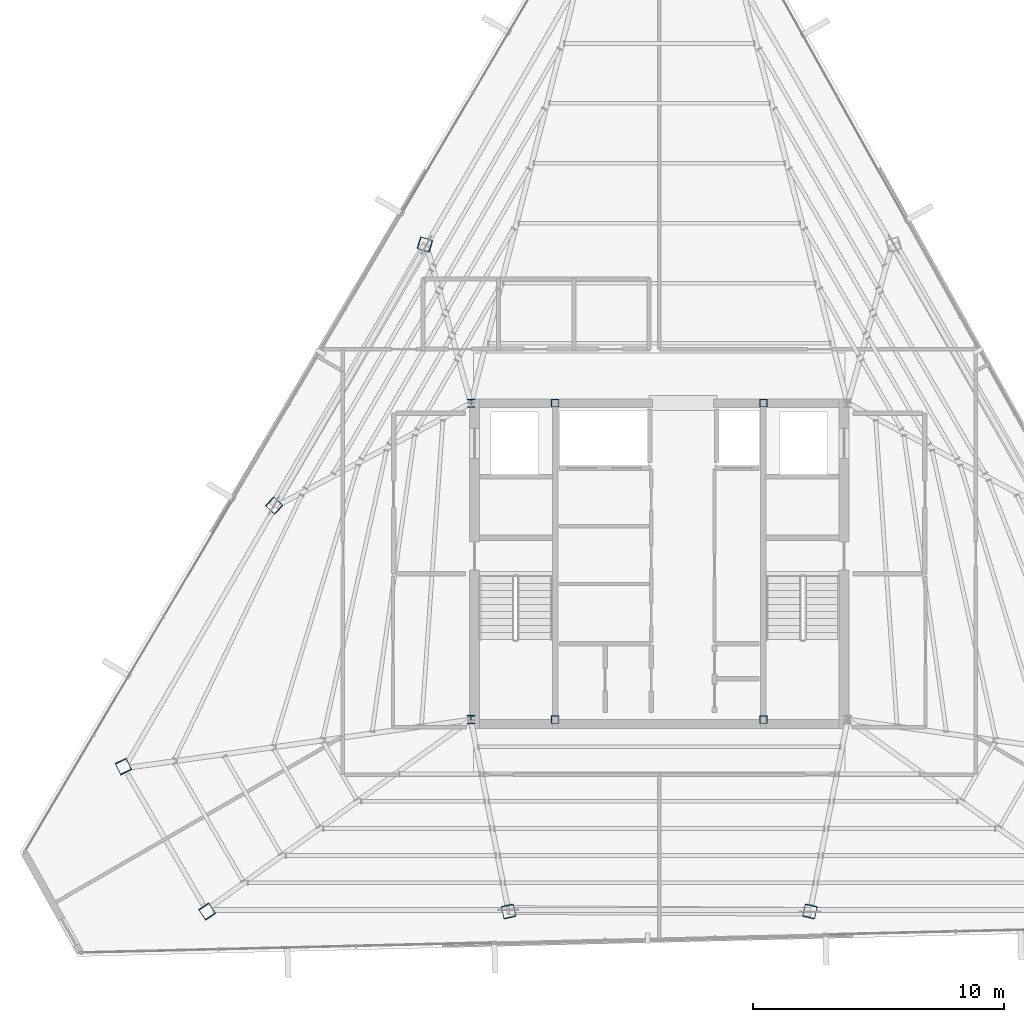
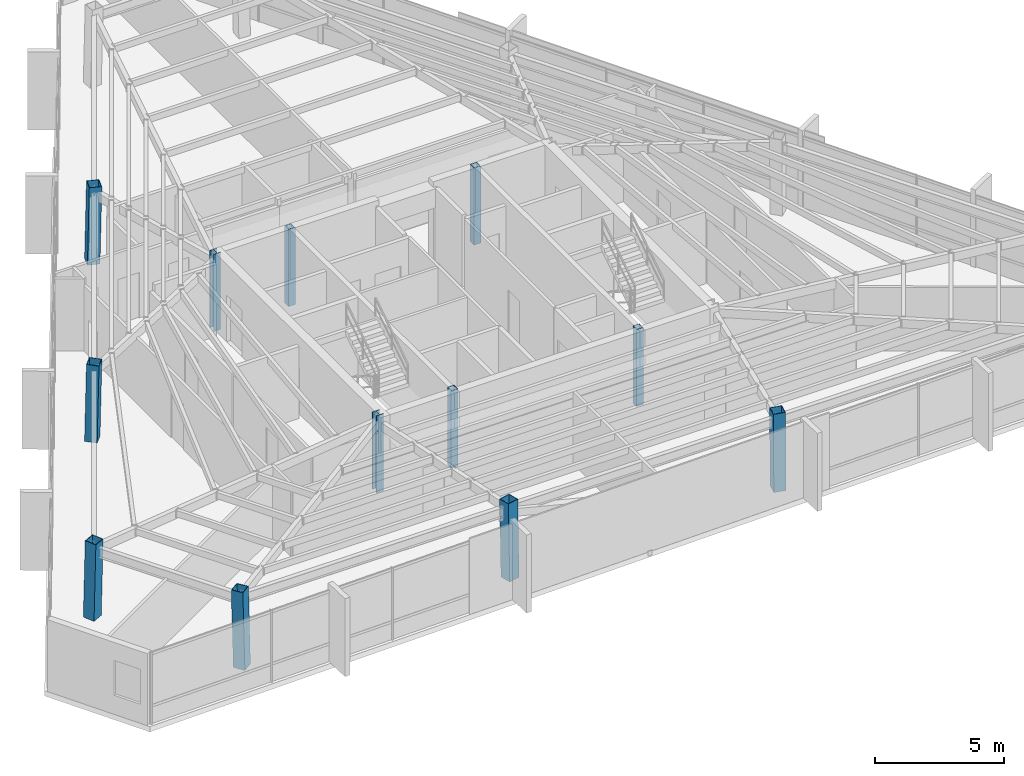
# One storey, part 1 of 48: 12 columns.
"""IFC4 building model written with IfcOpenShell, lengths in metres."""

from ifc_helpers import new_model, si_unit, direction, frame, origin, origin_2d, place, context, subcontext, project, spatial, hollow_rectangle, i_section, extrude, source, transform, mapped, material, material_profile, profile_set, type_object, type_shapes, element, save


model = new_model("IFC4")

# Units and contexts
model_context = context("Model", 3, precision=1e-05, world=origin(), true_north=direction((0.0, 1.0)))
body_context = subcontext(model_context, "Body", "Model", "MODEL_VIEW")
ifc_project = project(units=[si_unit("LENGTHUNIT", "METRE"), si_unit("AREAUNIT", "SQUARE_METRE"), si_unit("VOLUMEUNIT", "CUBIC_METRE"), si_unit("PLANEANGLEUNIT", "RADIAN"), si_unit("MASSUNIT", "GRAM", prefix="KILO")], contexts=[model_context])

# Site, building, storey
site_placement = place(None, origin())
site = spatial("IfcSite", under=ifc_project, at=site_placement, CompositionType="ELEMENT")
building_placement = place(site_placement, origin())
building = spatial("IfcBuilding", under=site, at=building_placement, Name="Caelisora Broadcast Tower", CompositionType="ELEMENT")
storey_placement = place(building_placement, frame((0.0, 0.0, 277.300048828125)))
storey = spatial("IfcBuildingStorey", under=building, at=storey_placement, Name="L73", CompositionType="ELEMENT", Elevation=277.300048828125)

# Columns
ifc_material_1 = material(Name="Steel Grade 350 (AS/NZS 3679.1)", Category="steel")
ifc_material_profile_1 = material_profile(ifc_material_1, i_section(OverallWidth=0.31103515625, OverallDepth=0.3271484375, WebThickness=0.015625, FlangeThickness=0.02490234375, at=origin_2d()), Name="Steel Grade 350 (AS/NZS 3679.1)")
ifc_profile_set_1 = profile_set([ifc_material_profile_1], Name="Steel Grade 350 (AS/NZS 3679.1)")
column_type_1 = type_object("IfcColumnType", Name="CC03", PredefinedType="COLUMN", material=ifc_profile_set_1)
shared_shape_1 = source(origin(), body_context, "Body", "SweptSolid", [
    extrude(i_section(OverallWidth=0.31103515625, OverallDepth=0.3271484375, WebThickness=0.015625, FlangeThickness=0.02490234375, at=origin_2d()), origin(), (0.0, 0.0, 1.0), 3.64990234375),
])
type_shapes(column_type_1, [shared_shape_1])
for number, where, z_axis, x_axis, name in (
    (1, (30.5, 17.39990234375, 0.0), (0.0, 0.0, 1.0), (1.0, 0.0, 0.0), "L73 column CC03"),
    (2, (30.5, 30.0, 0.0), (0.0, 0.0, 1.0), (1.0, 0.0, 0.0), "L73 column CC03"),
):
    element("IfcColumn", number, at=place(storey_placement, frame(where, z_axis=z_axis, x_axis=x_axis)), inside=storey, type_object=column_type_1, Name=name, PredefinedType="COLUMN", context=body_context, shape_type="MappedRepresentation", body=[
        mapped(shared_shape_1, transform((0.0, 0.0, 0.0), scale=1.0)),
    ])
ifc_material_2 = material(Name="Steel Grade 350 (AS/NZS 1163 C350L0)", Category="steel")
ifc_material_profile_2 = material_profile(ifc_material_2, hollow_rectangle(XDim=0.300048828125, YDim=0.300048828125, WallThickness=0.012451171875, at=origin_2d()), Name="Steel Grade 350 (AS/NZS 1163 C350L0)")
ifc_profile_set_2 = profile_set([ifc_material_profile_2], Name="Steel Grade 350 (AS/NZS 1163 C350L0)")
column_type_2 = type_object("IfcColumnType", Name="CC08", PredefinedType="COLUMN", material=ifc_profile_set_2)
shared_shape_2 = source(origin(), body_context, "Body", "SweptSolid", [
    extrude(hollow_rectangle(XDim=0.300048828125, YDim=0.300048828125, WallThickness=0.012451171875, at=origin_2d()), origin(), (0.0, 0.0, 1.0), 3.64990234375),
])
type_shapes(column_type_2, [shared_shape_2])
for number, where, z_axis, x_axis, name in (
    (3, (33.85009765625, 17.39990234375, 0.0), (0.0, 0.0, 1.0), (1.0, 0.0, 0.0), "L73 column CC08"),
    (4, (42.14990234375, 17.39990234375, 0.0), (0.0, 0.0, 1.0), (1.0, 0.0, 0.0), "L73 column CC08"),
    (5, (33.85009765625, 30.0, 0.0), (0.0, 0.0, 1.0), (1.0, 0.0, 0.0), "L73 column CC08"),
    (6, (42.14990234375, 30.0, 0.0), (0.0, 0.0, 1.0), (1.0, 0.0, 0.0), "L73 column CC08"),
):
    element("IfcColumn", number, at=place(storey_placement, frame(where, z_axis=z_axis, x_axis=x_axis)), inside=storey, type_object=column_type_2, Name=name, PredefinedType="COLUMN", context=body_context, shape_type="MappedRepresentation", body=[
        mapped(shared_shape_2, transform((0.0, 0.0, 0.0), scale=1.0)),
    ])
ifc_material_3 = material(Name="Steel Grade 350 L15 (AS/NZS 3678)", Category="steel")
ifc_material_profile_3 = material_profile(ifc_material_3, hollow_rectangle(XDim=0.5, YDim=0.5, WallThickness=0.02001953125, at=origin_2d()), Name="Steel Grade 350 L15 (AS/NZS 3678)")
ifc_profile_set_3 = profile_set([ifc_material_profile_3], Name="Steel Grade 350 L15 (AS/NZS 3678)")
column_type_3 = type_object("IfcColumnType", Name="MC07", PredefinedType="COLUMN", material=ifc_profile_set_3)
shared_shape_3 = source(origin(), body_context, "Body", "SweptSolid", [
    extrude(hollow_rectangle(XDim=0.5, YDim=0.5, WallThickness=0.02001953125, at=origin_2d()), origin(), (0.0, 0.0, 1.0), 3.65087890625),
])
for number, where, z_axis, x_axis, name in (
    (7, (16.657958984375, 15.54248046875, 0.0), (0.010431795422, -0.021532295679, 0.999713727968), (0.899947055326, 0.435999194506, 0.0), "L73 column MC07"),
    (8, (20.004638671875, 9.745849609375, 0.0), (-0.013440967269, 0.019793663242, 0.999713734673), (-0.827290216258, -0.561774775229, 0.0), "L73 column MC07"),
):
    element("IfcColumn", number, at=place(storey_placement, frame(where, z_axis=z_axis, x_axis=x_axis)), inside=storey, type_object=column_type_3, Name=name, PredefinedType="COLUMN", context=body_context, shape_type="MappedRepresentation", body=[
        mapped(shared_shape_3, transform((0.0, 0.0, 0.0), scale=1.0)),
    ])
shared_shape_4 = source(origin(), body_context, "Body", "SweptSolid", [
    extrude(hollow_rectangle(XDim=0.5, YDim=0.5, WallThickness=0.02001953125, at=origin_2d()), origin(), (0.0, 0.0, 1.0), 3.650634765625),
])
type_shapes(column_type_3, [shared_shape_3, shared_shape_4])
for number, where, z_axis, x_axis, name in (
    (9, (28.65478515625, 36.322021484375, 0.0), (0.019393985636, -0.006085698941, 0.999793397452), (0.299398805134, 0.954128060317, 0.0), "L73 column MC07"),
    (10, (22.656494140625, 25.93212890625, 0.0), (0.014846452328, -0.013776437746, 0.99979487527), (0.68019775991, 0.733028653883, 0.0), "L73 column MC07"),
    (11, (32.001708984375, 9.745849609375, 0.0), (-0.004547556686, 0.019795246753, 0.99979371269), (-0.974612694662, -0.223897510936, 0.0), "L73 column MC07"),
    (12, (43.998291015625, 9.745849609375, 0.0), (0.004547556686, 0.019795246753, 0.99979371269), (-0.974612694662, 0.223897510936, 0.0), "L73 column MC07"),
):
    element("IfcColumn", number, at=place(storey_placement, frame(where, z_axis=z_axis, x_axis=x_axis)), inside=storey, type_object=column_type_3, Name=name, PredefinedType="COLUMN", context=body_context, shape_type="MappedRepresentation", body=[
        mapped(shared_shape_4, transform((0.0, 0.0, 0.0), scale=1.0)),
    ])

save(model, "model.ifc")
